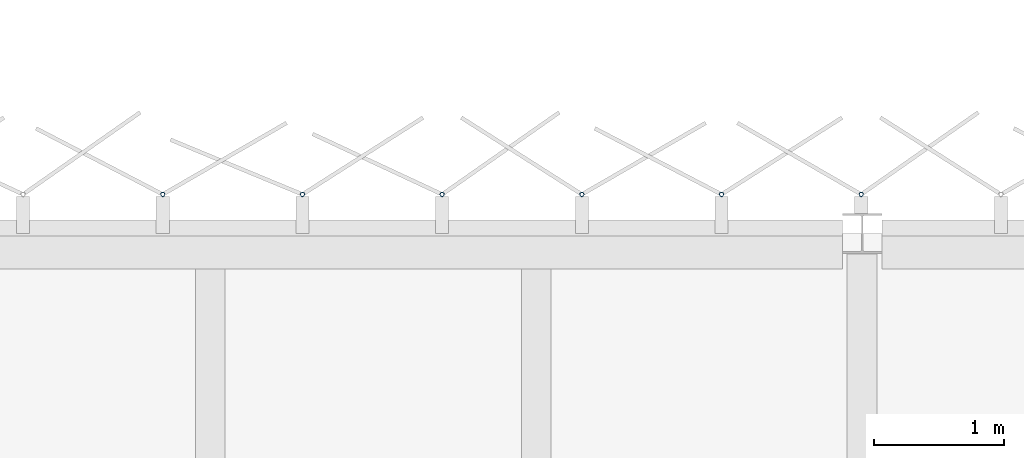
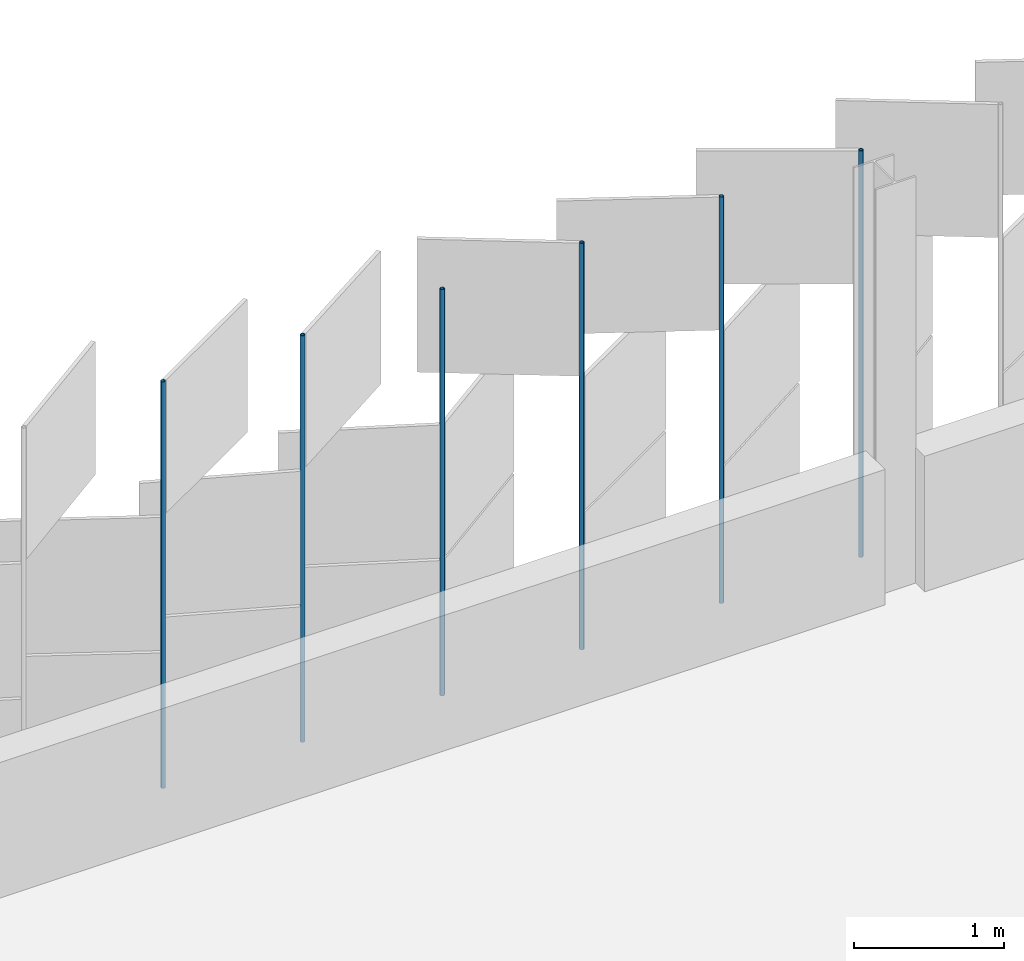
# One storey, part 144 of 198: 6 discrete accessories.
"""IFC4 building model written with IfcOpenShell, lengths in metres."""

from ifc_helpers import new_model, si_unit, direction, frame, origin, origin_2d, place, context, subcontext, project, spatial, hollow_circle, extrude, material, material_profile, profile_set, type_object, element, save


model = new_model("IFC4")

# Units and contexts
model_context = context("Model", 3, precision=1e-05, world=origin(), true_north=direction((0.0, 1.0)))
body_context = subcontext(model_context, "Body", "Model", "MODEL_VIEW")
ifc_project = project(units=[si_unit("LENGTHUNIT", "METRE"), si_unit("AREAUNIT", "SQUARE_METRE"), si_unit("VOLUMEUNIT", "CUBIC_METRE"), si_unit("PLANEANGLEUNIT", "RADIAN"), si_unit("MASSUNIT", "GRAM", prefix="KILO")], contexts=[model_context])

# Site, building, storey
site_placement = place(None, origin())
site = spatial("IfcSite", under=ifc_project, at=site_placement, CompositionType="ELEMENT")
building_placement = place(site_placement, origin())
building = spatial("IfcBuilding", under=site, at=building_placement, Name="Parallax Yard Mobility Hub", CompositionType="ELEMENT")
storey_placement = place(building_placement, frame((0.0, 0.0, 6.60009765625)))
storey = spatial("IfcBuildingStorey", under=building, at=storey_placement, Name="L02", CompositionType="ELEMENT", Elevation=6.60009765625)

# Discrete accessories
ifc_material = material(Name="Steel ASTM A500 Gr C, hot-dip galvanised", Category="steel")
ifc_material_profile = material_profile(ifc_material, hollow_circle(Radius=0.016845703125, WallThickness=0.003173828125, at=origin_2d()), Name="CHS 33.7x3.2")
ifc_profile_set = profile_set([ifc_material_profile], Name="Steel ASTM A500 Gr C, hot-dip galvanised")
discrete_accessory_type = type_object("IfcDiscreteAccessoryType", Name="Hinge post CHS 33.7x3.2", PredefinedType="BRACKET", material=ifc_profile_set)
for number, where, z_axis, x_axis, name in (
    (1, (97.492919921875, 142.800048828125, 0.0), (0.0, 0.0, 1.0), (1.0, 0.0, 0.0), "Hinge post bay 61.1 level L02"),
    (2, (96.42138671875, 142.800048828125, 0.0), (0.0, 0.0, 1.0), (1.0, 0.0, 0.0), "Hinge post bay 61.2 level L02"),
    (3, (95.349853515625, 142.800048828125, 0.0), (0.0, 0.0, 1.0), (1.0, 0.0, 0.0), "Hinge post bay 61.3 level L02"),
    (4, (94.2783203125, 142.800048828125, 0.0), (0.0, 0.0, 1.0), (1.0, 0.0, 0.0), "Hinge post bay 61.4 level L02"),
    (5, (93.206787109375, 142.800048828125, 0.0), (0.0, 0.0, 1.0), (1.0, 0.0, 0.0), "Hinge post bay 61.5 level L02"),
    (6, (92.13525390625, 142.800048828125, 0.0), (0.0, 0.0, 1.0), (1.0, 0.0, 0.0), "Hinge post bay 61.6 level L02"),
):
    element("IfcDiscreteAccessory", number, at=place(storey_placement, frame(where, z_axis=z_axis, x_axis=x_axis)), inside=storey, type_object=discrete_accessory_type, Name=name, PredefinedType="BRACKET", context=body_context, shape_type="SweptSolid", body=[
        extrude(hollow_circle(Radius=0.016845703125, WallThickness=0.003173828125, at=origin_2d()), origin(), (0.0, 0.0, 1.0), 3.2998046875),
    ])

save(model, "model.ifc")
